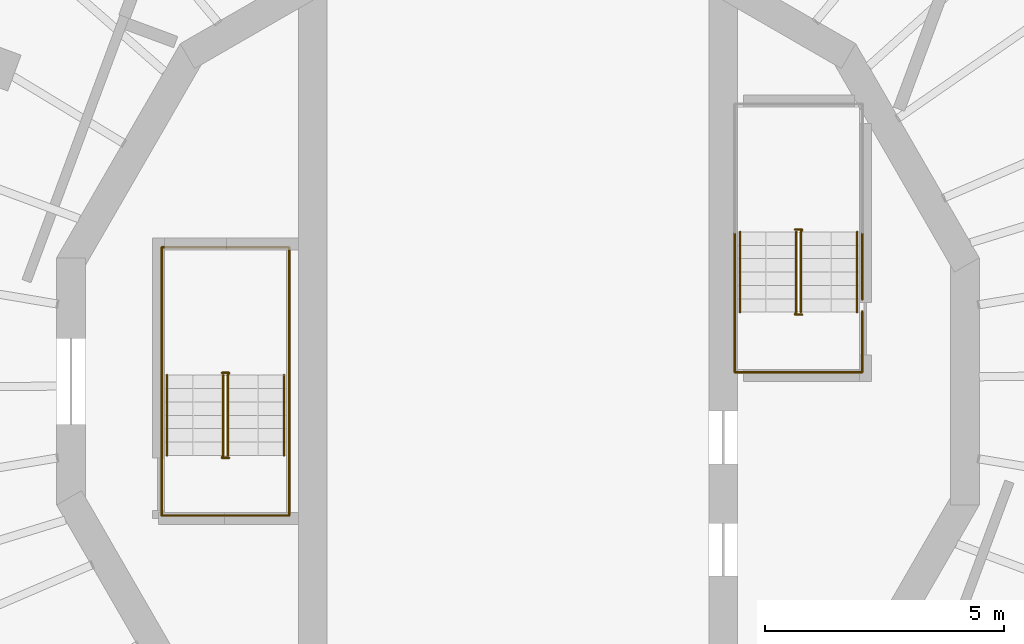
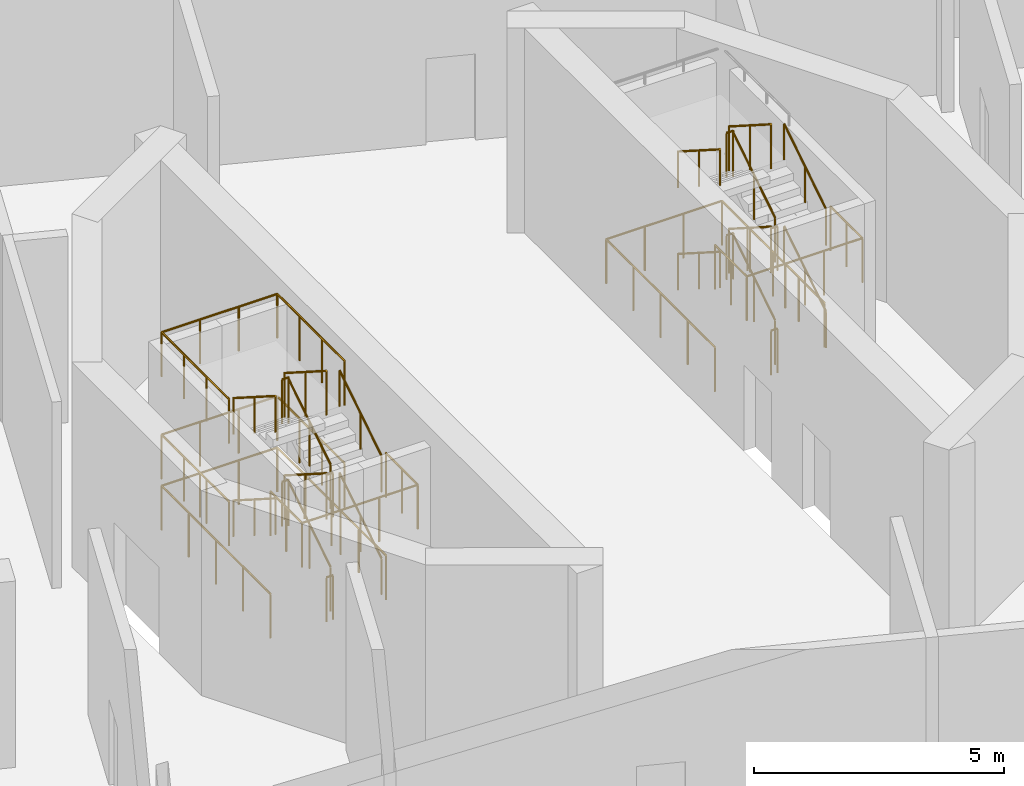
# One storey, part 12 of 13: 24 railings.
"""IFC4 building model written with IfcOpenShell, lengths in metres."""

from ifc_helpers import new_model, si_unit, direction, frame, origin, origin_2d, place, context, subcontext, project, spatial, circle, extrude, material, type_object, element, save


model = new_model("IFC4")

# Units and contexts
model_context = context("Model", 3, precision=1e-05, world=origin(), true_north=direction((0.0, 1.0)))
body_context = subcontext(model_context, "Body", "Model", "MODEL_VIEW")
ifc_project = project(units=[si_unit("LENGTHUNIT", "METRE"), si_unit("AREAUNIT", "SQUARE_METRE"), si_unit("VOLUMEUNIT", "CUBIC_METRE"), si_unit("PLANEANGLEUNIT", "RADIAN"), si_unit("MASSUNIT", "GRAM", prefix="KILO")], contexts=[model_context])

# Site, building, storey
site_placement = place(None, origin())
site = spatial("IfcSite", under=ifc_project, at=site_placement, CompositionType="ELEMENT")
building_placement = place(site_placement, origin())
building = spatial("IfcBuilding", under=site, at=building_placement, Name="Cantera Rosa Tower", CompositionType="ELEMENT")
storey_placement = place(building_placement, frame((0.0, 0.0, 350.699951171875)))
storey = spatial("IfcBuildingStorey", under=building, at=storey_placement, Name="L79", CompositionType="ELEMENT", Elevation=350.699951171875)

# Railings
ifc_material_1 = material(Name="Steel S355J2 (EN 10025-2)", Category="steel")
railing_type_1 = type_object("IfcRailingType", Name="STAIR GUARD 1100", PredefinedType="GUARDRAIL", material=ifc_material_1)
railing_1_placement = place(storey_placement, frame((-6.075927734375, -1.550048828125, 0.1787109375)))
element("IfcRailing", 1, at=railing_1_placement, inside=storey, type_object=railing_type_1, Name="L79 ST-71 stair guard 1", PredefinedType="GUARDRAIL", context=body_context, shape_type="SweptSolid", body=[
    extrude(circle(Radius=0.02392578125, at=origin_2d()), frame((0.0, 0.0, 1.076171875), z_axis=(0.0, 0.843151513386, 0.53767604138), x_axis=(-1.0, 0.0, 0.0)), (0.0, 0.0, 1.0), 1.992431640625),
    extrude(circle(Radius=0.02392578125, at=origin_2d()), frame((0.0, 1.679931640625, 2.1474609375), z_axis=(0.459305035911, 0.888278607187, 0.0), x_axis=(-0.888278607187, 0.459305035911, 0.0)), (0.0, 0.0, 1.0), 0.056396484375),
    extrude(circle(Radius=0.02392578125, at=origin_2d()), frame((0.02587890625, 1.72998046875, 2.1474609375), z_axis=(-1.0, 0.0, 0.0), x_axis=(0.0, -1.0, 0.0)), (0.0, 0.0, 1.0), 0.14990234375),
    extrude(circle(Radius=0.02099609375, at=origin_2d()), origin(), (0.0, 0.0, 1.0), 1.052001953125),
    extrude(circle(Radius=0.02099609375, at=origin_2d()), frame((0.0, 0.83984375, 0.53564453125)), (0.0, 0.0, 1.0), 1.052001953125),
    extrude(circle(Radius=0.02099609375, at=origin_2d()), frame((0.0, 1.679931640625, 1.0712890625)), (0.0, 0.0, 1.0), 1.052001953125),
    extrude(circle(Radius=0.02099609375, at=origin_2d()), frame((0.02587890625, 1.72998046875, 1.0712890625)), (0.0, 0.0, 1.0), 1.052001953125),
    extrude(circle(Radius=0.02099609375, at=origin_2d()), frame((-0.1240234375, 1.72998046875, 1.0712890625)), (0.0, 0.0, 1.0), 1.052001953125),
])
railing_2_placement = place(storey_placement, frame((-6.174072265625, 0.1298828125, 1.4287109375)))
element("IfcRailing", 2, at=railing_2_placement, inside=storey, type_object=railing_type_1, Name="L79 ST-71 stair guard 2", PredefinedType="GUARDRAIL", context=body_context, shape_type="SweptSolid", body=[
    extrude(circle(Radius=0.02392578125, at=origin_2d()), frame((0.0, 0.0, 1.076171875), z_axis=(0.0, -0.843151513386, 0.53767604138), x_axis=(1.0, 0.0, 0.0)), (0.0, 0.0, 1.0), 1.992431640625),
    extrude(circle(Radius=0.02392578125, at=origin_2d()), frame((0.0, -1.679931640625, 2.1474609375), z_axis=(-0.459305035911, -0.888278607187, 0.0), x_axis=(0.888278607187, -0.459305035911, 0.0)), (0.0, 0.0, 1.0), 0.056396484375),
    extrude(circle(Radius=0.02392578125, at=origin_2d()), frame((-0.02587890625, -1.72998046875, 2.1474609375), z_axis=(1.0, 0.0, 0.0), x_axis=(0.0, 1.0, 0.0)), (0.0, 0.0, 1.0), 0.14990234375),
    extrude(circle(Radius=0.02099609375, at=origin_2d()), origin(), (0.0, 0.0, 1.0), 1.052001953125),
    extrude(circle(Radius=0.02099609375, at=origin_2d()), frame((0.0, -0.83984375, 0.53564453125)), (0.0, 0.0, 1.0), 1.052001953125),
    extrude(circle(Radius=0.02099609375, at=origin_2d()), frame((0.0, -1.679931640625, 1.0712890625)), (0.0, 0.0, 1.0), 1.052001953125),
    extrude(circle(Radius=0.02099609375, at=origin_2d()), frame((-0.02587890625, -1.72998046875, 1.0712890625)), (0.0, 0.0, 1.0), 1.052001953125),
    extrude(circle(Radius=0.02099609375, at=origin_2d()), frame((0.1240234375, -1.72998046875, 1.0712890625)), (0.0, 0.0, 1.0), 1.052001953125),
])
railing_3_placement = place(storey_placement, frame((-6.075927734375, -1.550048828125, 2.6787109375)))
element("IfcRailing", 3, at=railing_3_placement, inside=storey, type_object=railing_type_1, Name="L79 ST-71 stair guard 3", PredefinedType="GUARDRAIL", context=body_context, shape_type="SweptSolid", body=[
    extrude(circle(Radius=0.02392578125, at=origin_2d()), frame((0.0, 0.0, 1.076171875), z_axis=(0.0, 0.843151513386, 0.53767604138), x_axis=(-1.0, 0.0, 0.0)), (0.0, 0.0, 1.0), 1.992431640625),
    extrude(circle(Radius=0.02392578125, at=origin_2d()), frame((0.0, 1.679931640625, 2.1474609375), z_axis=(0.459305035911, 0.888278607187, 0.0), x_axis=(-0.888278607187, 0.459305035911, 0.0)), (0.0, 0.0, 1.0), 0.056396484375),
    extrude(circle(Radius=0.02392578125, at=origin_2d()), frame((0.02587890625, 1.72998046875, 2.1474609375), z_axis=(-1.0, 0.0, 0.0), x_axis=(0.0, -1.0, 0.0)), (0.0, 0.0, 1.0), 0.14990234375),
    extrude(circle(Radius=0.02099609375, at=origin_2d()), origin(), (0.0, 0.0, 1.0), 1.052001953125),
    extrude(circle(Radius=0.02099609375, at=origin_2d()), frame((0.0, 0.83984375, 0.53564453125)), (0.0, 0.0, 1.0), 1.052001953125),
    extrude(circle(Radius=0.02099609375, at=origin_2d()), frame((0.0, 1.679931640625, 1.0712890625)), (0.0, 0.0, 1.0), 1.052001953125),
    extrude(circle(Radius=0.02099609375, at=origin_2d()), frame((0.02587890625, 1.72998046875, 1.0712890625)), (0.0, 0.0, 1.0), 1.052001953125),
    extrude(circle(Radius=0.02099609375, at=origin_2d()), frame((-0.1240234375, 1.72998046875, 1.0712890625)), (0.0, 0.0, 1.0), 1.052001953125),
])
railing_4_placement = place(storey_placement, frame((-6.174072265625, 0.1298828125, 3.9287109375)))
element("IfcRailing", 4, at=railing_4_placement, inside=storey, type_object=railing_type_1, Name="L79 ST-71 stair guard 4", PredefinedType="GUARDRAIL", context=body_context, shape_type="SweptSolid", body=[
    extrude(circle(Radius=0.02392578125, at=origin_2d()), frame((0.0, 0.0, 1.076171875), z_axis=(0.0, -0.843151513386, 0.53767604138), x_axis=(1.0, 0.0, 0.0)), (0.0, 0.0, 1.0), 1.992431640625),
    extrude(circle(Radius=0.02099609375, at=origin_2d()), origin(), (0.0, 0.0, 1.0), 1.052001953125),
    extrude(circle(Radius=0.02099609375, at=origin_2d()), frame((0.0, -0.83984375, 0.53564453125)), (0.0, 0.0, 1.0), 1.052001953125),
    extrude(circle(Radius=0.02099609375, at=origin_2d()), frame((0.0, -1.679931640625, 1.0712890625)), (0.0, 0.0, 1.0), 1.052001953125),
])
railing_5_placement = place(storey_placement, frame((-6.050048828125, -1.60009765625, 0.0)))
element("IfcRailing", 5, at=railing_5_placement, inside=storey, type_object=railing_type_1, Name="L79 ST-71 stair guard 5", PredefinedType="GUARDRAIL", context=body_context, shape_type="SweptSolid", body=[
    extrude(circle(Radius=0.02392578125, at=origin_2d()), frame((0.0, 0.0, 1.076171875), z_axis=(-1.0, 0.0, 0.0), x_axis=(0.0, -1.0, 0.0)), (0.0, 0.0, 1.0), 0.14990234375),
    extrude(circle(Radius=0.02099609375, at=origin_2d()), origin(), (0.0, 0.0, 1.0), 1.052001953125),
    extrude(circle(Radius=0.02099609375, at=origin_2d()), frame((-0.14990234375, 0.0, 0.0)), (0.0, 0.0, 1.0), 1.052001953125),
])
railing_6_placement = place(storey_placement, frame((-4.7900390625, -1.5380859375, 0.0)))
element("IfcRailing", 6, at=railing_6_placement, inside=storey, type_object=railing_type_1, Name="L79 ST-71 stair guard 6", PredefinedType="GUARDRAIL", context=body_context, shape_type="SweptSolid", body=[
    extrude(circle(Radius=0.02392578125, at=origin_2d()), frame((0.0, 0.0, 1.076171875), z_axis=(0.0, 1.0, 0.0), x_axis=(-1.0, 0.0, 0.0)), (0.0, 0.0, 1.0), 4.34814453125),
    extrude(circle(Radius=0.02392578125, at=origin_2d()), frame((0.0, 4.34814453125, 1.076171875), z_axis=(-1.0, 0.0, 0.0), x_axis=(0.0, -1.0, 0.0)), (0.0, 0.0, 1.0), 2.669921875),
    extrude(circle(Radius=0.02392578125, at=origin_2d()), frame((-2.669921875, 4.34814453125, 1.076171875), z_axis=(0.0, -1.0, 0.0), x_axis=(1.0, 0.0, 0.0)), (0.0, 0.0, 1.0), 4.34814453125),
    extrude(circle(Radius=0.02099609375, at=origin_2d()), origin(), (0.0, 0.0, 1.0), 1.052001953125),
    extrude(circle(Radius=0.02099609375, at=origin_2d()), frame((0.0, 1.0869140625, 0.0)), (0.0, 0.0, 1.0), 1.052001953125),
    extrude(circle(Radius=0.02099609375, at=origin_2d()), frame((0.0, 2.174072265625, 0.0)), (0.0, 0.0, 1.0), 1.052001953125),
    extrude(circle(Radius=0.02099609375, at=origin_2d()), frame((0.0, 3.26123046875, 0.0)), (0.0, 0.0, 1.0), 1.052001953125),
    extrude(circle(Radius=0.02099609375, at=origin_2d()), frame((0.0, 4.34814453125, 0.0)), (0.0, 0.0, 1.0), 1.052001953125),
    extrude(circle(Radius=0.02099609375, at=origin_2d()), frame((-0.889892578125, 4.34814453125, 0.0)), (0.0, 0.0, 1.0), 1.052001953125),
    extrude(circle(Radius=0.02099609375, at=origin_2d()), frame((-1.780029296875, 4.34814453125, 0.0)), (0.0, 0.0, 1.0), 1.052001953125),
    extrude(circle(Radius=0.02099609375, at=origin_2d()), frame((-2.669921875, 4.34814453125, 0.0)), (0.0, 0.0, 1.0), 1.052001953125),
    extrude(circle(Radius=0.02099609375, at=origin_2d()), frame((-2.669921875, 3.26123046875, 0.0)), (0.0, 0.0, 1.0), 1.052001953125),
    extrude(circle(Radius=0.02099609375, at=origin_2d()), frame((-2.669921875, 2.174072265625, 0.0)), (0.0, 0.0, 1.0), 1.052001953125),
    extrude(circle(Radius=0.02099609375, at=origin_2d()), frame((-2.669921875, 1.0869140625, 0.0)), (0.0, 0.0, 1.0), 1.052001953125),
    extrude(circle(Radius=0.02099609375, at=origin_2d()), frame((-2.669921875, 0.0, 0.0)), (0.0, 0.0, 1.0), 1.052001953125),
])
railing_7_placement = place(storey_placement, frame((-4.7900390625, 0.117919921875, 1.25)))
element("IfcRailing", 7, at=railing_7_placement, inside=storey, type_object=railing_type_1, Name="L79 ST-71 stair guard 7", PredefinedType="GUARDRAIL", context=body_context, shape_type="SweptSolid", body=[
    extrude(circle(Radius=0.02392578125, at=origin_2d()), frame((0.0, 0.0, 1.076171875), z_axis=(0.0, 1.0, 0.0), x_axis=(-1.0, 0.0, 0.0)), (0.0, 0.0, 1.0), 2.692138671875),
    extrude(circle(Radius=0.02392578125, at=origin_2d()), frame((0.0, 2.692138671875, 1.076171875), z_axis=(-1.0, 0.0, 0.0), x_axis=(0.0, -1.0, 0.0)), (0.0, 0.0, 1.0), 2.669921875),
    extrude(circle(Radius=0.02392578125, at=origin_2d()), frame((-2.669921875, 2.692138671875, 1.076171875), z_axis=(0.0, -1.0, 0.0), x_axis=(1.0, 0.0, 0.0)), (0.0, 0.0, 1.0), 2.692138671875),
    extrude(circle(Radius=0.02099609375, at=origin_2d()), origin(), (0.0, 0.0, 1.0), 1.052001953125),
    extrude(circle(Radius=0.02099609375, at=origin_2d()), frame((0.0, 0.8974609375, 0.0)), (0.0, 0.0, 1.0), 1.052001953125),
    extrude(circle(Radius=0.02099609375, at=origin_2d()), frame((0.0, 1.794677734375, 0.0)), (0.0, 0.0, 1.0), 1.052001953125),
    extrude(circle(Radius=0.02099609375, at=origin_2d()), frame((0.0, 2.692138671875, 0.0)), (0.0, 0.0, 1.0), 1.052001953125),
    extrude(circle(Radius=0.02099609375, at=origin_2d()), frame((-0.889892578125, 2.692138671875, 0.0)), (0.0, 0.0, 1.0), 1.052001953125),
    extrude(circle(Radius=0.02099609375, at=origin_2d()), frame((-1.780029296875, 2.692138671875, 0.0)), (0.0, 0.0, 1.0), 1.052001953125),
    extrude(circle(Radius=0.02099609375, at=origin_2d()), frame((-2.669921875, 2.692138671875, 0.0)), (0.0, 0.0, 1.0), 1.052001953125),
    extrude(circle(Radius=0.02099609375, at=origin_2d()), frame((-2.669921875, 1.794677734375, 0.0)), (0.0, 0.0, 1.0), 1.052001953125),
    extrude(circle(Radius=0.02099609375, at=origin_2d()), frame((-2.669921875, 0.8974609375, 0.0)), (0.0, 0.0, 1.0), 1.052001953125),
    extrude(circle(Radius=0.02099609375, at=origin_2d()), frame((-2.669921875, 0.0, 0.0)), (0.0, 0.0, 1.0), 1.052001953125),
])
railing_8_placement = place(storey_placement, frame((-4.7900390625, -1.5380859375, 2.5)))
element("IfcRailing", 8, at=railing_8_placement, inside=storey, type_object=railing_type_1, Name="L79 ST-71 stair guard 8", PredefinedType="GUARDRAIL", context=body_context, shape_type="SweptSolid", body=[
    extrude(circle(Radius=0.02392578125, at=origin_2d()), frame((0.0, 0.0, 1.076171875), z_axis=(0.0, -1.0, 0.0), x_axis=(1.0, 0.0, 0.0)), (0.0, 0.0, 1.0), 1.27197265625),
    extrude(circle(Radius=0.02392578125, at=origin_2d()), frame((0.0, -1.27197265625, 1.076171875), z_axis=(-1.0, 0.0, 0.0), x_axis=(0.0, -1.0, 0.0)), (0.0, 0.0, 1.0), 2.669921875),
    extrude(circle(Radius=0.02392578125, at=origin_2d()), frame((-2.669921875, -1.27197265625, 1.076171875), z_axis=(0.0, 1.0, 0.0), x_axis=(-1.0, 0.0, 0.0)), (0.0, 0.0, 1.0), 1.27197265625),
    extrude(circle(Radius=0.02099609375, at=origin_2d()), origin(), (0.0, 0.0, 1.0), 1.052001953125),
    extrude(circle(Radius=0.02099609375, at=origin_2d()), frame((0.0, -0.635986328125, 0.0)), (0.0, 0.0, 1.0), 1.052001953125),
    extrude(circle(Radius=0.02099609375, at=origin_2d()), frame((0.0, -1.27197265625, 0.0)), (0.0, 0.0, 1.0), 1.052001953125),
    extrude(circle(Radius=0.02099609375, at=origin_2d()), frame((-0.889892578125, -1.27197265625, 0.0)), (0.0, 0.0, 1.0), 1.052001953125),
    extrude(circle(Radius=0.02099609375, at=origin_2d()), frame((-1.780029296875, -1.27197265625, 0.0)), (0.0, 0.0, 1.0), 1.052001953125),
    extrude(circle(Radius=0.02099609375, at=origin_2d()), frame((-2.669921875, -1.27197265625, 0.0)), (0.0, 0.0, 1.0), 1.052001953125),
    extrude(circle(Radius=0.02099609375, at=origin_2d()), frame((-2.669921875, -0.635986328125, 0.0)), (0.0, 0.0, 1.0), 1.052001953125),
    extrude(circle(Radius=0.02099609375, at=origin_2d()), frame((-2.669921875, 0.0, 0.0)), (0.0, 0.0, 1.0), 1.052001953125),
])
railing_9_placement = place(storey_placement, frame((-4.7900390625, 0.117919921875, 3.75)))
element("IfcRailing", 9, at=railing_9_placement, inside=storey, type_object=railing_type_1, Name="L79 ST-71 stair guard 9", PredefinedType="GUARDRAIL", context=body_context, shape_type="SweptSolid", body=[
    extrude(circle(Radius=0.02392578125, at=origin_2d()), frame((0.0, 0.0, 1.076171875), z_axis=(0.0, 1.0, 0.0), x_axis=(-1.0, 0.0, 0.0)), (0.0, 0.0, 1.0), 2.692138671875),
    extrude(circle(Radius=0.02392578125, at=origin_2d()), frame((0.0, 2.692138671875, 1.076171875), z_axis=(-1.0, 0.0, 0.0), x_axis=(0.0, -1.0, 0.0)), (0.0, 0.0, 1.0), 2.669921875),
    extrude(circle(Radius=0.02392578125, at=origin_2d()), frame((-2.669921875, 2.692138671875, 1.076171875), z_axis=(0.0, -1.0, 0.0), x_axis=(1.0, 0.0, 0.0)), (0.0, 0.0, 1.0), 2.692138671875),
    extrude(circle(Radius=0.02099609375, at=origin_2d()), origin(), (0.0, 0.0, 1.0), 1.052001953125),
    extrude(circle(Radius=0.02099609375, at=origin_2d()), frame((0.0, 0.8974609375, 0.0)), (0.0, 0.0, 1.0), 1.052001953125),
    extrude(circle(Radius=0.02099609375, at=origin_2d()), frame((0.0, 1.794677734375, 0.0)), (0.0, 0.0, 1.0), 1.052001953125),
    extrude(circle(Radius=0.02099609375, at=origin_2d()), frame((0.0, 2.692138671875, 0.0)), (0.0, 0.0, 1.0), 1.052001953125),
    extrude(circle(Radius=0.02099609375, at=origin_2d()), frame((-0.889892578125, 2.692138671875, 0.0)), (0.0, 0.0, 1.0), 1.052001953125),
    extrude(circle(Radius=0.02099609375, at=origin_2d()), frame((-1.780029296875, 2.692138671875, 0.0)), (0.0, 0.0, 1.0), 1.052001953125),
    extrude(circle(Radius=0.02099609375, at=origin_2d()), frame((-2.669921875, 2.692138671875, 0.0)), (0.0, 0.0, 1.0), 1.052001953125),
    extrude(circle(Radius=0.02099609375, at=origin_2d()), frame((-2.669921875, 1.794677734375, 0.0)), (0.0, 0.0, 1.0), 1.052001953125),
    extrude(circle(Radius=0.02099609375, at=origin_2d()), frame((-2.669921875, 0.8974609375, 0.0)), (0.0, 0.0, 1.0), 1.052001953125),
    extrude(circle(Radius=0.02099609375, at=origin_2d()), frame((-2.669921875, 0.0, 0.0)), (0.0, 0.0, 1.0), 1.052001953125),
])
railing_10_placement = place(storey_placement, frame((5.924072265625, 1.449951171875, 0.1787109375)))
element("IfcRailing", 10, at=railing_10_placement, inside=storey, type_object=railing_type_1, Name="L79 ST-72 stair guard 1", PredefinedType="GUARDRAIL", context=body_context, shape_type="SweptSolid", body=[
    extrude(circle(Radius=0.02392578125, at=origin_2d()), frame((0.0, 0.0, 1.076171875), z_axis=(0.0, 0.843151513386, 0.53767604138), x_axis=(-1.0, 0.0, 0.0)), (0.0, 0.0, 1.0), 1.992431640625),
    extrude(circle(Radius=0.02392578125, at=origin_2d()), frame((0.0, 1.679931640625, 2.1474609375), z_axis=(0.459305035911, 0.888278607187, 0.0), x_axis=(-0.888278607187, 0.459305035911, 0.0)), (0.0, 0.0, 1.0), 0.056396484375),
    extrude(circle(Radius=0.02392578125, at=origin_2d()), frame((0.02587890625, 1.72998046875, 2.1474609375), z_axis=(-1.0, 0.0, 0.0), x_axis=(0.0, -1.0, 0.0)), (0.0, 0.0, 1.0), 0.14990234375),
    extrude(circle(Radius=0.02099609375, at=origin_2d()), origin(), (0.0, 0.0, 1.0), 1.052001953125),
    extrude(circle(Radius=0.02099609375, at=origin_2d()), frame((0.0, 0.83984375, 0.53564453125)), (0.0, 0.0, 1.0), 1.052001953125),
    extrude(circle(Radius=0.02099609375, at=origin_2d()), frame((0.0, 1.679931640625, 1.0712890625)), (0.0, 0.0, 1.0), 1.052001953125),
    extrude(circle(Radius=0.02099609375, at=origin_2d()), frame((0.02587890625, 1.72998046875, 1.0712890625)), (0.0, 0.0, 1.0), 1.052001953125),
    extrude(circle(Radius=0.02099609375, at=origin_2d()), frame((-0.1240234375, 1.72998046875, 1.0712890625)), (0.0, 0.0, 1.0), 1.052001953125),
])
railing_11_placement = place(storey_placement, frame((5.825927734375, 3.1298828125, 1.4287109375)))
element("IfcRailing", 11, at=railing_11_placement, inside=storey, type_object=railing_type_1, Name="L79 ST-72 stair guard 2", PredefinedType="GUARDRAIL", context=body_context, shape_type="SweptSolid", body=[
    extrude(circle(Radius=0.02392578125, at=origin_2d()), frame((0.0, 0.0, 1.076171875), z_axis=(0.0, -0.843151513386, 0.53767604138), x_axis=(1.0, 0.0, 0.0)), (0.0, 0.0, 1.0), 1.992431640625),
    extrude(circle(Radius=0.02392578125, at=origin_2d()), frame((0.0, -1.679931640625, 2.1474609375), z_axis=(-0.459305035911, -0.888278607187, 0.0), x_axis=(0.888278607187, -0.459305035911, 0.0)), (0.0, 0.0, 1.0), 0.056396484375),
    extrude(circle(Radius=0.02392578125, at=origin_2d()), frame((-0.02587890625, -1.72998046875, 2.1474609375), z_axis=(1.0, 0.0, 0.0), x_axis=(0.0, 1.0, 0.0)), (0.0, 0.0, 1.0), 0.14990234375),
    extrude(circle(Radius=0.02099609375, at=origin_2d()), origin(), (0.0, 0.0, 1.0), 1.052001953125),
    extrude(circle(Radius=0.02099609375, at=origin_2d()), frame((0.0, -0.83984375, 0.53564453125)), (0.0, 0.0, 1.0), 1.052001953125),
    extrude(circle(Radius=0.02099609375, at=origin_2d()), frame((0.0, -1.679931640625, 1.0712890625)), (0.0, 0.0, 1.0), 1.052001953125),
    extrude(circle(Radius=0.02099609375, at=origin_2d()), frame((-0.02587890625, -1.72998046875, 1.0712890625)), (0.0, 0.0, 1.0), 1.052001953125),
    extrude(circle(Radius=0.02099609375, at=origin_2d()), frame((0.1240234375, -1.72998046875, 1.0712890625)), (0.0, 0.0, 1.0), 1.052001953125),
])
railing_12_placement = place(storey_placement, frame((5.924072265625, 1.449951171875, 2.6787109375)))
element("IfcRailing", 12, at=railing_12_placement, inside=storey, type_object=railing_type_1, Name="L79 ST-72 stair guard 3", PredefinedType="GUARDRAIL", context=body_context, shape_type="SweptSolid", body=[
    extrude(circle(Radius=0.02392578125, at=origin_2d()), frame((0.0, 0.0, 1.076171875), z_axis=(0.0, 0.843151513386, 0.53767604138), x_axis=(-1.0, 0.0, 0.0)), (0.0, 0.0, 1.0), 1.992431640625),
    extrude(circle(Radius=0.02392578125, at=origin_2d()), frame((0.0, 1.679931640625, 2.1474609375), z_axis=(0.459305035911, 0.888278607187, 0.0), x_axis=(-0.888278607187, 0.459305035911, 0.0)), (0.0, 0.0, 1.0), 0.056396484375),
    extrude(circle(Radius=0.02392578125, at=origin_2d()), frame((0.02587890625, 1.72998046875, 2.1474609375), z_axis=(-1.0, 0.0, 0.0), x_axis=(0.0, -1.0, 0.0)), (0.0, 0.0, 1.0), 0.14990234375),
    extrude(circle(Radius=0.02099609375, at=origin_2d()), origin(), (0.0, 0.0, 1.0), 1.052001953125),
    extrude(circle(Radius=0.02099609375, at=origin_2d()), frame((0.0, 0.83984375, 0.53564453125)), (0.0, 0.0, 1.0), 1.052001953125),
    extrude(circle(Radius=0.02099609375, at=origin_2d()), frame((0.0, 1.679931640625, 1.0712890625)), (0.0, 0.0, 1.0), 1.052001953125),
    extrude(circle(Radius=0.02099609375, at=origin_2d()), frame((0.02587890625, 1.72998046875, 1.0712890625)), (0.0, 0.0, 1.0), 1.052001953125),
    extrude(circle(Radius=0.02099609375, at=origin_2d()), frame((-0.1240234375, 1.72998046875, 1.0712890625)), (0.0, 0.0, 1.0), 1.052001953125),
])
railing_13_placement = place(storey_placement, frame((5.825927734375, 3.1298828125, 3.9287109375)))
element("IfcRailing", 13, at=railing_13_placement, inside=storey, type_object=railing_type_1, Name="L79 ST-72 stair guard 4", PredefinedType="GUARDRAIL", context=body_context, shape_type="SweptSolid", body=[
    extrude(circle(Radius=0.02392578125, at=origin_2d()), frame((0.0, 0.0, 1.076171875), z_axis=(0.0, -0.843151513386, 0.53767604138), x_axis=(1.0, 0.0, 0.0)), (0.0, 0.0, 1.0), 1.992431640625),
    extrude(circle(Radius=0.02099609375, at=origin_2d()), origin(), (0.0, 0.0, 1.0), 1.052001953125),
    extrude(circle(Radius=0.02099609375, at=origin_2d()), frame((0.0, -0.83984375, 0.53564453125)), (0.0, 0.0, 1.0), 1.052001953125),
    extrude(circle(Radius=0.02099609375, at=origin_2d()), frame((0.0, -1.679931640625, 1.0712890625)), (0.0, 0.0, 1.0), 1.052001953125),
])
railing_14_placement = place(storey_placement, frame((5.949951171875, 1.39990234375, 0.0)))
element("IfcRailing", 14, at=railing_14_placement, inside=storey, type_object=railing_type_1, Name="L79 ST-72 stair guard 5", PredefinedType="GUARDRAIL", context=body_context, shape_type="SweptSolid", body=[
    extrude(circle(Radius=0.02392578125, at=origin_2d()), frame((0.0, 0.0, 1.076171875), z_axis=(-1.0, 0.0, 0.0), x_axis=(0.0, -1.0, 0.0)), (0.0, 0.0, 1.0), 0.14990234375),
    extrude(circle(Radius=0.02099609375, at=origin_2d()), origin(), (0.0, 0.0, 1.0), 1.052001953125),
    extrude(circle(Radius=0.02099609375, at=origin_2d()), frame((-0.14990234375, 0.0, 0.0)), (0.0, 0.0, 1.0), 1.052001953125),
])
railing_15_placement = place(storey_placement, frame((7.2099609375, 1.7099609375, 0.0)))
element("IfcRailing", 15, at=railing_15_placement, inside=storey, type_object=railing_type_1, Name="L79 ST-72 stair guard 6", PredefinedType="GUARDRAIL", context=body_context, shape_type="SweptSolid", body=[
    extrude(circle(Radius=0.02392578125, at=origin_2d()), frame((0.0, 0.0, 1.076171875), z_axis=(0.0, 1.0, 0.0), x_axis=(-1.0, 0.0, 0.0)), (0.0, 0.0, 1.0), 4.10009765625),
    extrude(circle(Radius=0.02392578125, at=origin_2d()), frame((0.0, 4.10009765625, 1.076171875), z_axis=(-1.0, 0.0, 0.0), x_axis=(0.0, -1.0, 0.0)), (0.0, 0.0, 1.0), 2.669921875),
    extrude(circle(Radius=0.02392578125, at=origin_2d()), frame((-2.669921875, 4.10009765625, 1.076171875), z_axis=(0.0, -1.0, 0.0), x_axis=(1.0, 0.0, 0.0)), (0.0, 0.0, 1.0), 4.34814453125),
    extrude(circle(Radius=0.02099609375, at=origin_2d()), origin(), (0.0, 0.0, 1.0), 1.052001953125),
    extrude(circle(Radius=0.02099609375, at=origin_2d()), frame((0.0, 1.02490234375, 0.0)), (0.0, 0.0, 1.0), 1.052001953125),
    extrude(circle(Radius=0.02099609375, at=origin_2d()), frame((0.0, 2.050048828125, 0.0)), (0.0, 0.0, 1.0), 1.052001953125),
    extrude(circle(Radius=0.02099609375, at=origin_2d()), frame((0.0, 3.0751953125, 0.0)), (0.0, 0.0, 1.0), 1.052001953125),
    extrude(circle(Radius=0.02099609375, at=origin_2d()), frame((0.0, 4.10009765625, 0.0)), (0.0, 0.0, 1.0), 1.052001953125),
    extrude(circle(Radius=0.02099609375, at=origin_2d()), frame((-0.889892578125, 4.10009765625, 0.0)), (0.0, 0.0, 1.0), 1.052001953125),
    extrude(circle(Radius=0.02099609375, at=origin_2d()), frame((-1.780029296875, 4.10009765625, 0.0)), (0.0, 0.0, 1.0), 1.052001953125),
    extrude(circle(Radius=0.02099609375, at=origin_2d()), frame((-2.669921875, 4.10009765625, 0.0)), (0.0, 0.0, 1.0), 1.052001953125),
    extrude(circle(Radius=0.02099609375, at=origin_2d()), frame((-2.669921875, 3.01318359375, 0.0)), (0.0, 0.0, 1.0), 1.052001953125),
    extrude(circle(Radius=0.02099609375, at=origin_2d()), frame((-2.669921875, 1.926025390625, 0.0)), (0.0, 0.0, 1.0), 1.052001953125),
    extrude(circle(Radius=0.02099609375, at=origin_2d()), frame((-2.669921875, 0.8388671875, 0.0)), (0.0, 0.0, 1.0), 1.052001953125),
    extrude(circle(Radius=0.02099609375, at=origin_2d()), frame((-2.669921875, -0.248046875, 0.0)), (0.0, 0.0, 1.0), 1.052001953125),
])
railing_16_placement = place(storey_placement, frame((7.2099609375, 1.4619140625, 2.5)))
element("IfcRailing", 16, at=railing_16_placement, inside=storey, type_object=railing_type_1, Name="L79 ST-72 stair guard 8", PredefinedType="GUARDRAIL", context=body_context, shape_type="SweptSolid", body=[
    extrude(circle(Radius=0.02392578125, at=origin_2d()), frame((0.0, 0.0, 1.076171875), z_axis=(0.0, -1.0, 0.0), x_axis=(1.0, 0.0, 0.0)), (0.0, 0.0, 1.0), 1.27197265625),
    extrude(circle(Radius=0.02392578125, at=origin_2d()), frame((0.0, -1.27197265625, 1.076171875), z_axis=(-1.0, 0.0, 0.0), x_axis=(0.0, -1.0, 0.0)), (0.0, 0.0, 1.0), 2.669921875),
    extrude(circle(Radius=0.02392578125, at=origin_2d()), frame((-2.669921875, -1.27197265625, 1.076171875), z_axis=(0.0, 1.0, 0.0), x_axis=(-1.0, 0.0, 0.0)), (0.0, 0.0, 1.0), 1.27197265625),
    extrude(circle(Radius=0.02099609375, at=origin_2d()), origin(), (0.0, 0.0, 1.0), 1.052001953125),
    extrude(circle(Radius=0.02099609375, at=origin_2d()), frame((0.0, -0.635986328125, 0.0)), (0.0, 0.0, 1.0), 1.052001953125),
    extrude(circle(Radius=0.02099609375, at=origin_2d()), frame((0.0, -1.27197265625, 0.0)), (0.0, 0.0, 1.0), 1.052001953125),
    extrude(circle(Radius=0.02099609375, at=origin_2d()), frame((-0.889892578125, -1.27197265625, 0.0)), (0.0, 0.0, 1.0), 1.052001953125),
    extrude(circle(Radius=0.02099609375, at=origin_2d()), frame((-1.780029296875, -1.27197265625, 0.0)), (0.0, 0.0, 1.0), 1.052001953125),
    extrude(circle(Radius=0.02099609375, at=origin_2d()), frame((-2.669921875, -1.27197265625, 0.0)), (0.0, 0.0, 1.0), 1.052001953125),
    extrude(circle(Radius=0.02099609375, at=origin_2d()), frame((-2.669921875, -0.635986328125, 0.0)), (0.0, 0.0, 1.0), 1.052001953125),
    extrude(circle(Radius=0.02099609375, at=origin_2d()), frame((-2.669921875, 0.0, 0.0)), (0.0, 0.0, 1.0), 1.052001953125),
])
ifc_material_2 = material(Name="Steel S355J2 (EN 10025-2)", Category="steel")
railing_type_2 = type_object("IfcRailingType", Name="STAIR HANDRAIL 900", PredefinedType="HANDRAIL", material=ifc_material_2)
railing_17_placement = place(storey_placement, frame((-4.89990234375, -1.550048828125, 0.1787109375)))
element("IfcRailing", 17, at=railing_17_placement, inside=storey, type_object=railing_type_2, Name="L79 ST-71 stair handrail 1", PredefinedType="HANDRAIL", context=body_context, shape_type="SweptSolid", body=[
    extrude(circle(Radius=0.02392578125, at=origin_2d()), frame((0.0, 0.0, 0.8759765625), z_axis=(0.0, 0.843151513386, 0.53767604138), x_axis=(-1.0, 0.0, 0.0)), (0.0, 0.0, 1.0), 1.992431640625),
    extrude(circle(Radius=0.02099609375, at=origin_2d()), origin(), (0.0, 0.0, 1.0), 0.851806640625),
    extrude(circle(Radius=0.02099609375, at=origin_2d()), frame((0.0, 0.83984375, 0.53564453125)), (0.0, 0.0, 1.0), 0.851806640625),
    extrude(circle(Radius=0.02099609375, at=origin_2d()), frame((0.0, 1.679931640625, 1.0712890625)), (0.0, 0.0, 1.0), 0.851806640625),
])
railing_18_placement = place(storey_placement, frame((-7.35009765625, 0.1298828125, 1.4287109375)))
element("IfcRailing", 18, at=railing_18_placement, inside=storey, type_object=railing_type_2, Name="L79 ST-71 stair handrail 2", PredefinedType="HANDRAIL", context=body_context, shape_type="SweptSolid", body=[
    extrude(circle(Radius=0.02392578125, at=origin_2d()), frame((0.0, 0.0, 0.8759765625), z_axis=(0.0, -0.843151513386, 0.53767604138), x_axis=(1.0, 0.0, 0.0)), (0.0, 0.0, 1.0), 1.992431640625),
    extrude(circle(Radius=0.02099609375, at=origin_2d()), origin(), (0.0, 0.0, 1.0), 0.851806640625),
    extrude(circle(Radius=0.02099609375, at=origin_2d()), frame((0.0, -0.83984375, 0.53564453125)), (0.0, 0.0, 1.0), 0.851806640625),
    extrude(circle(Radius=0.02099609375, at=origin_2d()), frame((0.0, -1.679931640625, 1.0712890625)), (0.0, 0.0, 1.0), 0.851806640625),
])
railing_19_placement = place(storey_placement, frame((-4.89990234375, -1.550048828125, 2.6787109375)))
element("IfcRailing", 19, at=railing_19_placement, inside=storey, type_object=railing_type_2, Name="L79 ST-71 stair handrail 3", PredefinedType="HANDRAIL", context=body_context, shape_type="SweptSolid", body=[
    extrude(circle(Radius=0.02392578125, at=origin_2d()), frame((0.0, 0.0, 0.8759765625), z_axis=(0.0, 0.843151513386, 0.53767604138), x_axis=(-1.0, 0.0, 0.0)), (0.0, 0.0, 1.0), 1.992431640625),
    extrude(circle(Radius=0.02099609375, at=origin_2d()), origin(), (0.0, 0.0, 1.0), 0.851806640625),
    extrude(circle(Radius=0.02099609375, at=origin_2d()), frame((0.0, 0.83984375, 0.53564453125)), (0.0, 0.0, 1.0), 0.851806640625),
    extrude(circle(Radius=0.02099609375, at=origin_2d()), frame((0.0, 1.679931640625, 1.0712890625)), (0.0, 0.0, 1.0), 0.851806640625),
])
railing_20_placement = place(storey_placement, frame((-7.35009765625, 0.1298828125, 3.9287109375)))
element("IfcRailing", 20, at=railing_20_placement, inside=storey, type_object=railing_type_2, Name="L79 ST-71 stair handrail 4", PredefinedType="HANDRAIL", context=body_context, shape_type="SweptSolid", body=[
    extrude(circle(Radius=0.02392578125, at=origin_2d()), frame((0.0, 0.0, 0.8759765625), z_axis=(0.0, -0.843151513386, 0.53767604138), x_axis=(1.0, 0.0, 0.0)), (0.0, 0.0, 1.0), 1.992431640625),
    extrude(circle(Radius=0.02099609375, at=origin_2d()), origin(), (0.0, 0.0, 1.0), 0.851806640625),
    extrude(circle(Radius=0.02099609375, at=origin_2d()), frame((0.0, -0.83984375, 0.53564453125)), (0.0, 0.0, 1.0), 0.851806640625),
    extrude(circle(Radius=0.02099609375, at=origin_2d()), frame((0.0, -1.679931640625, 1.0712890625)), (0.0, 0.0, 1.0), 0.851806640625),
])
railing_21_placement = place(storey_placement, frame((7.10009765625, 1.449951171875, 0.1787109375)))
element("IfcRailing", 21, at=railing_21_placement, inside=storey, type_object=railing_type_2, Name="L79 ST-72 stair handrail 1", PredefinedType="HANDRAIL", context=body_context, shape_type="SweptSolid", body=[
    extrude(circle(Radius=0.02392578125, at=origin_2d()), frame((0.0, 0.0, 0.8759765625), z_axis=(0.0, 0.843151513386, 0.53767604138), x_axis=(-1.0, 0.0, 0.0)), (0.0, 0.0, 1.0), 1.992431640625),
    extrude(circle(Radius=0.02099609375, at=origin_2d()), origin(), (0.0, 0.0, 1.0), 0.851806640625),
    extrude(circle(Radius=0.02099609375, at=origin_2d()), frame((0.0, 0.83984375, 0.53564453125)), (0.0, 0.0, 1.0), 0.851806640625),
    extrude(circle(Radius=0.02099609375, at=origin_2d()), frame((0.0, 1.679931640625, 1.0712890625)), (0.0, 0.0, 1.0), 0.851806640625),
])
railing_22_placement = place(storey_placement, frame((4.64990234375, 3.1298828125, 1.4287109375)))
element("IfcRailing", 22, at=railing_22_placement, inside=storey, type_object=railing_type_2, Name="L79 ST-72 stair handrail 2", PredefinedType="HANDRAIL", context=body_context, shape_type="SweptSolid", body=[
    extrude(circle(Radius=0.02392578125, at=origin_2d()), frame((0.0, 0.0, 0.8759765625), z_axis=(0.0, -0.843151513386, 0.53767604138), x_axis=(1.0, 0.0, 0.0)), (0.0, 0.0, 1.0), 1.992431640625),
    extrude(circle(Radius=0.02099609375, at=origin_2d()), origin(), (0.0, 0.0, 1.0), 0.851806640625),
    extrude(circle(Radius=0.02099609375, at=origin_2d()), frame((0.0, -0.83984375, 0.53564453125)), (0.0, 0.0, 1.0), 0.851806640625),
    extrude(circle(Radius=0.02099609375, at=origin_2d()), frame((0.0, -1.679931640625, 1.0712890625)), (0.0, 0.0, 1.0), 0.851806640625),
])
railing_23_placement = place(storey_placement, frame((7.10009765625, 1.449951171875, 2.6787109375)))
element("IfcRailing", 23, at=railing_23_placement, inside=storey, type_object=railing_type_2, Name="L79 ST-72 stair handrail 3", PredefinedType="HANDRAIL", context=body_context, shape_type="SweptSolid", body=[
    extrude(circle(Radius=0.02392578125, at=origin_2d()), frame((0.0, 0.0, 0.8759765625), z_axis=(0.0, 0.843151513386, 0.53767604138), x_axis=(-1.0, 0.0, 0.0)), (0.0, 0.0, 1.0), 1.992431640625),
    extrude(circle(Radius=0.02099609375, at=origin_2d()), origin(), (0.0, 0.0, 1.0), 0.851806640625),
    extrude(circle(Radius=0.02099609375, at=origin_2d()), frame((0.0, 0.83984375, 0.53564453125)), (0.0, 0.0, 1.0), 0.851806640625),
    extrude(circle(Radius=0.02099609375, at=origin_2d()), frame((0.0, 1.679931640625, 1.0712890625)), (0.0, 0.0, 1.0), 0.851806640625),
])
railing_24_placement = place(storey_placement, frame((4.64990234375, 3.1298828125, 3.9287109375)))
element("IfcRailing", 24, at=railing_24_placement, inside=storey, type_object=railing_type_2, Name="L79 ST-72 stair handrail 4", PredefinedType="HANDRAIL", context=body_context, shape_type="SweptSolid", body=[
    extrude(circle(Radius=0.02392578125, at=origin_2d()), frame((0.0, 0.0, 0.8759765625), z_axis=(0.0, -0.843151513386, 0.53767604138), x_axis=(1.0, 0.0, 0.0)), (0.0, 0.0, 1.0), 1.992431640625),
    extrude(circle(Radius=0.02099609375, at=origin_2d()), origin(), (0.0, 0.0, 1.0), 0.851806640625),
    extrude(circle(Radius=0.02099609375, at=origin_2d()), frame((0.0, -0.83984375, 0.53564453125)), (0.0, 0.0, 1.0), 0.851806640625),
    extrude(circle(Radius=0.02099609375, at=origin_2d()), frame((0.0, -1.679931640625, 1.0712890625)), (0.0, 0.0, 1.0), 0.851806640625),
])

save(model, "model.ifc")
